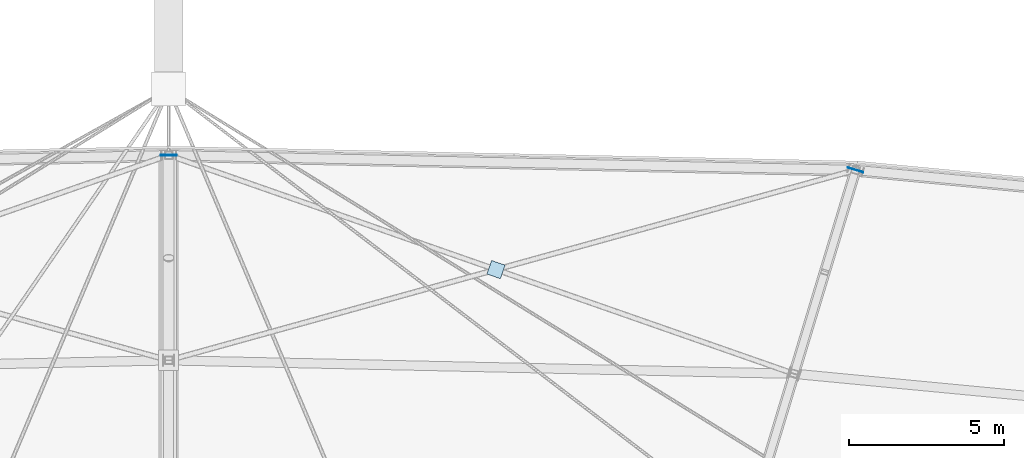
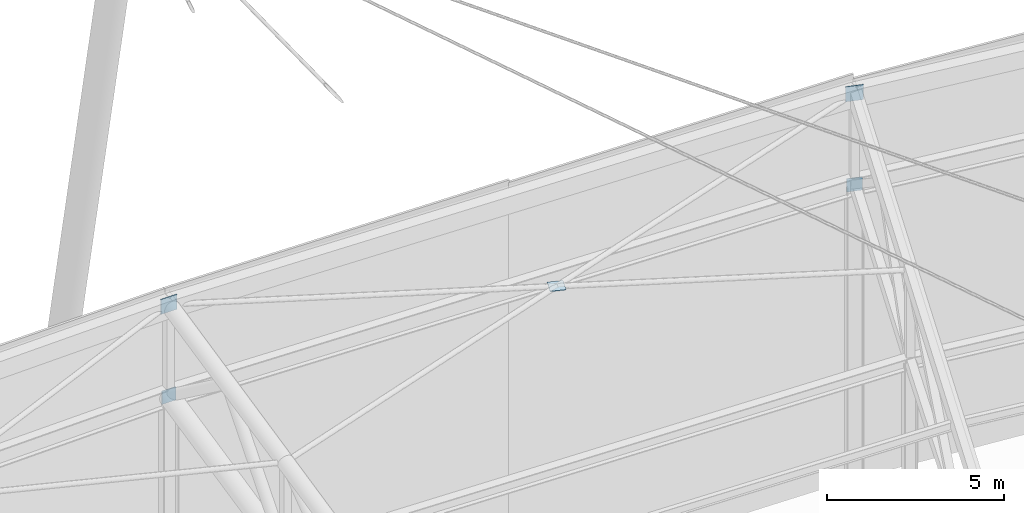
# One storey, part 134 of 143: 5 plates.
"""IFC4 building model written with IfcOpenShell, lengths in metres."""

from ifc_helpers import new_model, si_unit, direction, frame, origin, origin_2d, place, context, subcontext, project, spatial, rectangle, extrude, material, layer, layer_set, type_object, element, save


model = new_model("IFC4")

# Units and contexts
model_context = context("Model", 3, precision=1e-05, world=origin(), true_north=direction((0.0, 1.0)))
body_context = subcontext(model_context, "Body", "Model", "MODEL_VIEW")
ifc_project = project(units=[si_unit("LENGTHUNIT", "METRE"), si_unit("AREAUNIT", "SQUARE_METRE"), si_unit("VOLUMEUNIT", "CUBIC_METRE"), si_unit("PLANEANGLEUNIT", "RADIAN"), si_unit("MASSUNIT", "GRAM", prefix="KILO")], contexts=[model_context])

# Site, building, storey
site_placement = place(None, origin())
site = spatial("IfcSite", under=ifc_project, at=site_placement, CompositionType="ELEMENT")
building_placement = place(site_placement, origin())
building = spatial("IfcBuilding", under=site, at=building_placement, Name="Mphavela Belvedere Stadium", CompositionType="ELEMENT")
storey_placement = place(building_placement, frame((0.0, 0.0, 28.800048828125)))
storey = spatial("IfcBuildingStorey", under=building, at=storey_placement, Name="RF", CompositionType="ELEMENT", Elevation=28.800048828125)

# Plates
ifc_material_1 = material(Name="Steel S355", Category="steel")
ifc_layer_1 = layer(ifc_material_1, 0.01806640625)
ifc_layer_set_1 = layer_set([ifc_layer_1], Name="Steel S355")
plate_type_1 = type_object("IfcPlateType", Name="PLT-CAP-TRUSS-BC", PredefinedType="USERDEFINED", material=ifc_layer_set_1)
plate_1_placement = place(storey_placement, frame((137.114501953125, 160.19384765625, 10.117431640625), z_axis=(0.0, 0.0, 1.0), x_axis=(0.289198876314, 0.957269037387, 0.0)))
element("IfcPlate", 1, at=plate_1_placement, inside=storey, type_object=plate_type_1, Name="Roof truss RT-12 hollow-end cap plate out_bc", ObjectType="GUSSET_PLATE", PredefinedType="USERDEFINED", context=body_context, shape_type="SweptSolid", body=[
    extrude(rectangle(XDim=0.01806640625, YDim=0.4599609375, at=origin_2d()), origin(), (0.0, 0.0, 1.0), 0.4599609375),
])
plate_2_placement = place(storey_placement, frame((125.53857421875, 156.987060546875, 12.8203125), z_axis=(0.0, 0.0, 1.0), x_axis=(-0.944031464141, 0.329855414859, 0.0)))
element("IfcPlate", 2, at=plate_2_placement, inside=storey, type_object=plate_type_1, Name="Roof X-brace crossing gusset node plate 12", ObjectType="GUSSET_PLATE", PredefinedType="USERDEFINED", context=body_context, shape_type="SweptSolid", body=[
    extrude(rectangle(XDim=0.4599609375, YDim=0.4599609375, at=origin_2d()), origin(), (0.0, 0.0, 1.0), 0.01806640625),
])
plate_3_placement = place(storey_placement, frame((115.0, 160.669921875, 10.281005859375), z_axis=(0.0, 0.0, 1.0), x_axis=(0.0, 1.0, 0.0)))
element("IfcPlate", 3, at=plate_3_placement, inside=storey, type_object=plate_type_1, Name="Roof truss RT-13 hollow-end cap plate out_bc", ObjectType="GUSSET_PLATE", PredefinedType="USERDEFINED", context=body_context, shape_type="SweptSolid", body=[
    extrude(rectangle(XDim=0.01806640625, YDim=0.4599609375, at=origin_2d()), origin(), (0.0, 0.0, 1.0), 0.4599609375),
])
ifc_material_2 = material(Name="Steel S355", Category="steel")
ifc_layer_2 = layer(ifc_material_2, 0.02001953125)
ifc_layer_set_2 = layer_set([ifc_layer_2], Name="Steel S355")
plate_type_2 = type_object("IfcPlateType", Name="PLT-CAP-TRUSS-TC", PredefinedType="USERDEFINED", material=ifc_layer_set_2)
for number, where, z_axis, x_axis, name in (
    (4, (137.114501953125, 160.19384765625, 13.2373046875), (0.0, 0.0, 1.0), (0.289198876314, 0.957269037387, 0.0), "Roof truss RT-12 hollow-end cap plate out_tc"),
    (5, (115.0, 160.669921875, 13.40087890625), (0.0, 0.0, 1.0), (0.0, 1.0, 0.0), "Roof truss RT-13 hollow-end cap plate out_tc"),
):
    element("IfcPlate", number, at=place(storey_placement, frame(where, z_axis=z_axis, x_axis=x_axis)), inside=storey, type_object=plate_type_2, Name=name, ObjectType="GUSSET_PLATE", PredefinedType="USERDEFINED", context=body_context, shape_type="SweptSolid", body=[
        extrude(rectangle(XDim=0.02001953125, YDim=0.52001953125, at=origin_2d()), origin(), (0.0, 0.0, 1.0), 0.52001953125),
    ])

save(model, "model.ifc")
